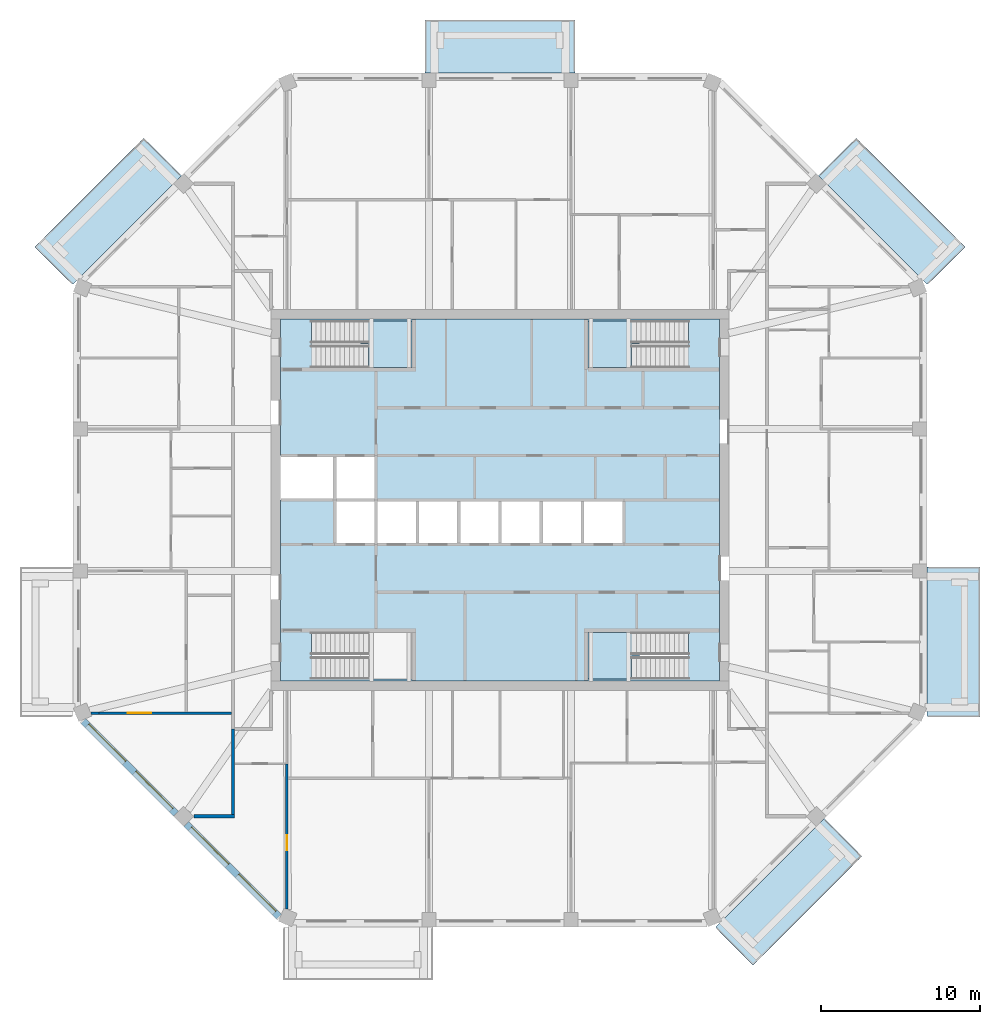
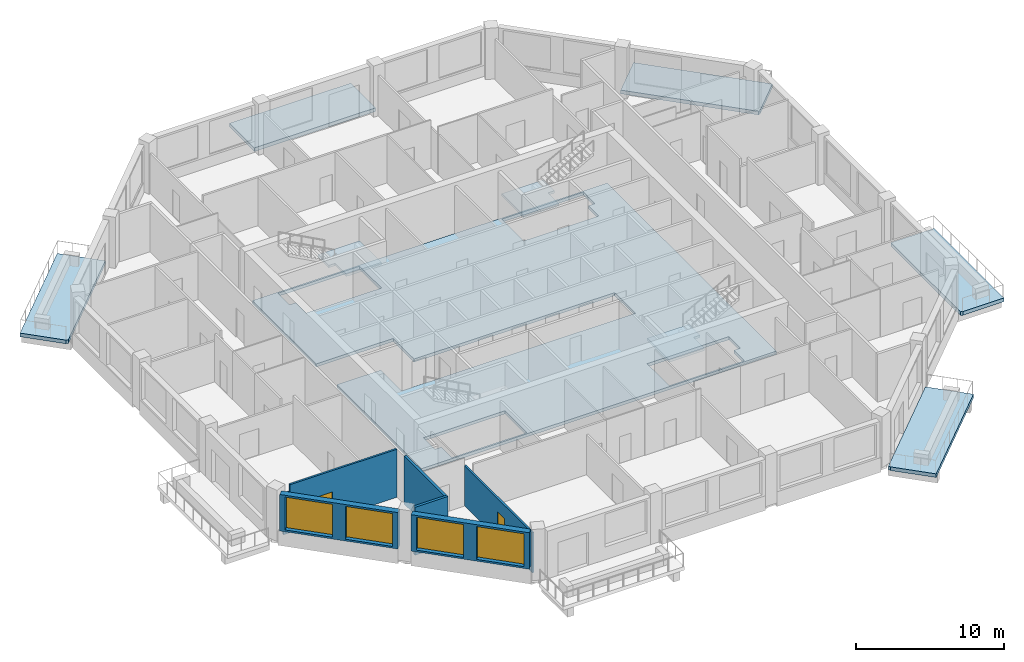
# One storey, part 2 of 11: 9 slabs, 7 walls, 4 windows, 2 doors, 6 openings, 3 elements without a shape of their own.
"""IFC4 building model written with IfcOpenShell, lengths in metres."""

from ifc_helpers import new_model, si_unit, direction, frame, frame_2d, origin, place, context, subcontext, project, spatial, polyline, rectangle, outline, extrude, material, layer, layer_set, type_object, element, fill, aggregate, save


model = new_model("IFC4")

# Units and contexts
model_context = context("Model", 3, precision=1e-05, world=origin(), true_north=direction((0.0, 1.0)))
body_context = subcontext(model_context, "Body", "Model", "MODEL_VIEW")
ifc_project = project(units=[si_unit("LENGTHUNIT", "METRE"), si_unit("AREAUNIT", "SQUARE_METRE"), si_unit("VOLUMEUNIT", "CUBIC_METRE"), si_unit("PLANEANGLEUNIT", "RADIAN"), si_unit("MASSUNIT", "GRAM", prefix="KILO")], contexts=[model_context])

# Site, building, storey
site_placement = place(None, origin())
site = spatial("IfcSite", under=ifc_project, at=site_placement, CompositionType="ELEMENT")
building_placement = place(site_placement, origin())
building = spatial("IfcBuilding", under=site, at=building_placement, Name="Msitu Wima Residences", CompositionType="ELEMENT")
storey_placement = place(building_placement, frame((0.0, 0.0, 293.699951171875)))
storey = spatial("IfcBuildingStorey", under=building, at=storey_placement, Name="L68", CompositionType="ELEMENT", Elevation=293.699951171875)

# Slabs
ifc_material_1 = material(Name="Concrete C40/50", Category="concrete")
ifc_layer_1 = layer(ifc_material_1, 0.300048828125)
ifc_layer_set_1 = layer_set([ifc_layer_1], Name="Concrete C40/50")
slab_type_1 = type_object("IfcSlabType", Name="Balcony slab BS300", PredefinedType="FLOOR", material=ifc_layer_set_1)
slab_1_placement = place(storey_placement, frame((0.0, 0.0, -0.300048828125)))
element("IfcSlab", 1, at=slab_1_placement, inside=storey, type_object=slab_type_1, Name="Balcony E0 L68", PredefinedType="FLOOR", context=body_context, shape_type="SweptSolid", body=[
    extrude(outline(polyline([(26.85009765625, -13.105224609375), (26.85009765625, -13.105224609375), (26.85009765625, -4.918701171875), (26.85009765625, -4.21875), (30.199951171875, -4.21875), (30.199951171875, -13.656005859375), (27.003662109375, -13.656005859375), (26.85009765625, -13.59228515625), (26.85009765625, -13.105224609375), (26.85009765625, -13.105224609375)])), origin(), (0.0, 0.0, 1.0), 0.300048828125),
])
slab_2_placement = place(storey_placement, frame((0.0, 0.0, -0.300048828125)))
element("IfcSlab", 2, at=slab_2_placement, inside=storey, type_object=slab_type_1, Name="Balcony NE0 L68", PredefinedType="FLOOR", context=body_context, shape_type="SweptSolid", body=[
    extrude(outline(polyline([(26.505615234375, 13.936767578125), (26.505615234375, 13.936767578125), (20.04443359375, 20.39794921875), (22.4130859375, 22.766845703125), (29.263671875, 15.916015625), (27.003662109375, 13.656005859375), (26.85009765625, 13.59228515625), (26.505615234375, 13.936767578125), (26.505615234375, 13.936767578125)])), origin(), (0.0, 0.0, 1.0), 0.300048828125),
])
slab_3_placement = place(storey_placement, frame((0.0, 0.0, -0.300048828125)))
element("IfcSlab", 3, at=slab_3_placement, inside=storey, type_object=slab_type_1, Name="Balcony N1 L68", PredefinedType="FLOOR", context=body_context, shape_type="SweptSolid", body=[
    extrude(outline(polyline([(4.0185546875, 26.85009765625), (-4.0185546875, 26.85009765625), (-4.71875, 26.85009765625), (-4.71875, 30.199951171875), (4.71875, 30.199951171875), (4.71875, 26.85009765625), (4.0185546875, 26.85009765625)])), origin(), (0.0, 0.0, 1.0), 0.300048828125),
])
slab_4_placement = place(storey_placement, frame((0.0, 0.0, -0.300048828125)))
element("IfcSlab", 4, at=slab_4_placement, inside=storey, type_object=slab_type_1, Name="Balcony NW1 L68", PredefinedType="FLOOR", context=body_context, shape_type="SweptSolid", body=[
    extrude(outline(polyline([(-26.505615234375, 13.936767578125), (-26.505615234375, 13.936767578125), (-26.85009765625, 13.59228515625), (-27.003662109375, 13.656005859375), (-29.263671875, 15.916015625), (-22.4130859375, 22.766845703125), (-20.04443359375, 20.39794921875), (-26.505615234375, 13.936767578125), (-26.505615234375, 13.936767578125)])), origin(), (0.0, 0.0, 1.0), 0.300048828125),
])
slab_5_placement = place(storey_placement, frame((0.0, 0.0, -0.300048828125)))
element("IfcSlab", 5, at=slab_5_placement, inside=storey, type_object=slab_type_1, Name="Balcony SE0 L68", PredefinedType="FLOOR", context=body_context, shape_type="SweptSolid", body=[
    extrude(outline(polyline([(13.936767578125, -26.505615234375), (13.936767578125, -26.505615234375), (20.39794921875, -20.04443359375), (22.766845703125, -22.4130859375), (15.916015625, -29.263671875), (13.656005859375, -27.003662109375), (13.59228515625, -26.85009765625), (13.936767578125, -26.505615234375), (13.936767578125, -26.505615234375)])), origin(), (0.0, 0.0, 1.0), 0.300048828125),
])
ifc_layer_2 = layer(ifc_material_1, 0.25)
ifc_layer_set_2 = layer_set([ifc_layer_2], Name="Concrete C40/50")
slab_type_2 = type_object("IfcSlabType", Name="Core floor CF250", PredefinedType="FLOOR", material=ifc_layer_set_2)
slab_6_placement = place(storey_placement, frame((0.0, 0.0, -0.25)))
element("IfcSlab", 6, at=slab_6_placement, inside=storey, type_object=slab_type_2, Name="Core floor", PredefinedType="FLOOR", context=body_context, shape_type="SweptSolid", body=[
    extrude(outline(polyline([(-13.800048828125, 11.39990234375), (-13.800048828125, 2.800048828125), (-10.39990234375, 2.800048828125), (-7.800048828125, 2.800048828125), (-7.800048828125, 0.0), (-5.199951171875, 0.0), (-2.60009765625, 0.0), (0.0, 0.0), (2.60009765625, 0.0), (5.199951171875, 0.0), (7.800048828125, 0.0), (7.800048828125, -2.800048828125), (5.199951171875, -2.800048828125), (2.60009765625, -2.800048828125), (0.0, -2.800048828125), (-2.60009765625, -2.800048828125), (-5.199951171875, -2.800048828125), (-7.800048828125, -2.800048828125), (-10.39990234375, -2.800048828125), (-10.39990234375, 0.0), (-13.800048828125, 0.0), (-13.800048828125, -11.39990234375), (13.800048828125, -11.39990234375), (13.800048828125, 11.39990234375), (-13.800048828125, 11.39990234375)]), holes=[polyline([(-11.375, -11.27490234375), (-11.375, -9.875), (-11.87451171875, -9.875), (-11.87451171875, -8.324951171875), (-5.52490234375, -8.324951171875), (-5.52490234375, -11.27490234375), (-11.375, -11.27490234375)]), polyline([(-11.375, 8.324951171875), (-11.375, 9.72509765625), (-11.87451171875, 9.72509765625), (-11.87451171875, 11.27490234375), (-5.52490234375, 11.27490234375), (-5.52490234375, 8.324951171875), (-11.375, 8.324951171875)]), polyline([(11.375, -9.875), (11.375, -11.27490234375), (5.52490234375, -11.27490234375), (5.52490234375, -8.324951171875), (11.87451171875, -8.324951171875), (11.87451171875, -9.875), (11.375, -9.875)]), polyline([(11.375, 9.72509765625), (11.375, 8.324951171875), (5.52490234375, 8.324951171875), (5.52490234375, 11.27490234375), (11.87451171875, 11.27490234375), (11.87451171875, 9.72509765625), (11.375, 9.72509765625)])]), origin(), (0.0, 0.0, 1.0), 0.25),
])

# Stair, slab
stair_type = type_object("IfcStairType", Name="Exit stair ES1615-140", PredefinedType="HALF_TURN_STAIR", material=ifc_material_1)
stair_1_placement = place(storey_placement, origin())
stair_1 = element("IfcStair", 7, at=stair_1_placement, inside=storey, type_object=stair_type, Name="Exit stair 1", PredefinedType="HALF_TURN_STAIR")
ifc_layer_3 = layer(ifc_material_1, 0.199951171875)
ifc_layer_set_3 = layer_set([ifc_layer_3], Name="Concrete C40/50")
slab_type_3 = type_object("IfcSlabType", Name="Stair landing SL200", PredefinedType="LANDING", material=ifc_layer_set_3)
slab_7_placement = place(storey_placement, frame((0.0, 0.0, 1.900146484375)))
slab_7 = element("IfcSlab", 8, at=slab_7_placement, type_object=slab_type_3, Name="S1 landing 1", PredefinedType="LANDING", context=body_context, shape_type="SweptSolid", body=[
    extrude(outline(polyline([(-5.52490234375, 8.324951171875), (-8.275390625, 8.324951171875), (-8.275390625, 9.800048828125), (-8.77490234375, 9.800048828125), (-8.77490234375, 11.27490234375), (-5.52490234375, 11.27490234375), (-5.52490234375, 8.324951171875)])), origin(), (0.0, 0.0, 1.0), 0.199951171875),
])
aggregate(stair_1, [slab_7])

stair_2_placement = place(storey_placement, origin())
stair_2 = element("IfcStair", 9, at=stair_2_placement, inside=storey, type_object=stair_type, Name="Exit stair 3", PredefinedType="HALF_TURN_STAIR")
slab_8_placement = place(storey_placement, frame((0.0, 0.0, 1.900146484375)))
slab_8 = element("IfcSlab", 10, at=slab_8_placement, type_object=slab_type_3, Name="S3 landing 1", PredefinedType="LANDING", context=body_context, shape_type="SweptSolid", body=[
    extrude(outline(polyline([(5.52490234375, 8.324951171875), (8.275390625, 8.324951171875), (8.275390625, 9.800048828125), (8.77490234375, 9.800048828125), (8.77490234375, 11.27490234375), (5.52490234375, 11.27490234375), (5.52490234375, 8.324951171875)])), origin(), (0.0, 0.0, 1.0), 0.199951171875),
])
aggregate(stair_2, [slab_8])

stair_3_placement = place(storey_placement, origin())
stair_3 = element("IfcStair", 11, at=stair_3_placement, inside=storey, type_object=stair_type, Name="Exit stair 4", PredefinedType="HALF_TURN_STAIR")
slab_9_placement = place(storey_placement, frame((0.0, 0.0, 1.900146484375)))
slab_9 = element("IfcSlab", 12, at=slab_9_placement, type_object=slab_type_3, Name="S4 landing 1", PredefinedType="LANDING", context=body_context, shape_type="SweptSolid", body=[
    extrude(outline(polyline([(5.52490234375, -11.27490234375), (8.275390625, -11.27490234375), (8.275390625, -9.800048828125), (8.77490234375, -9.800048828125), (8.77490234375, -8.324951171875), (5.52490234375, -8.324951171875), (5.52490234375, -11.27490234375)])), origin(), (0.0, 0.0, 1.0), 0.199951171875),
])
aggregate(stair_3, [slab_9])

# Wall, openings, windows
ifc_material_2 = material(Name="Brick (red buff mix)", Category="masonry")
ifc_layer_4 = layer(ifc_material_2, 0.449951171875)
ifc_layer_set_4 = layer_set([ifc_layer_4], Name="Brick (red buff mix)")
wall_type_1 = type_object("IfcWallType", Name="Brick infill wall BW450", PredefinedType="SOLIDWALL", material=ifc_layer_set_4)
wall_1_placement = place(storey_placement, frame((-26.214599609375, -13.909423828125, 0.900146484375), z_axis=(0.0, 0.0, 1.0), x_axis=(0.707106781187, -0.707106781187, 0.0)))
wall_1 = element("IfcWall", 13, at=wall_1_placement, inside=storey, type_object=wall_type_1, Name="Brick infill wall L68 SW0", PredefinedType="SOLIDWALL", context=body_context, shape_type="SweptSolid", body=[
    extrude(rectangle(XDim=8.251220703125, YDim=0.449951171875, at=frame_2d((4.12548828125, 0.0))), origin(), (0.0, 0.0, 1.0), 3.0),
])
opening_1_placement = place(wall_1_placement, frame((0.37548828125, 0.0, 0.14990234375)))
opening_1 = element("IfcOpeningElement", 14, at=opening_1_placement, cuts=wall_1, Name="Opening W68-70.025", PredefinedType="OPENING", context=body_context, shape_type="SweptSolid", body=[
    extrude(rectangle(XDim=3.300048828125, YDim=2.699951171875, at=frame_2d((1.64990234375, 1.35009765625))), frame((0.0, 0.23486328125, 0.0), z_axis=(0.0, -1.0, 0.0), x_axis=(1.0, 0.0, 0.0)), (0.0, 0.0, 1.0), 0.469970703125),
])
opening_2_placement = place(wall_1_placement, frame((4.57568359375, 0.0, 0.14990234375)))
opening_2 = element("IfcOpeningElement", 15, at=opening_2_placement, cuts=wall_1, Name="Opening W68-70.026", PredefinedType="OPENING", context=body_context, shape_type="SweptSolid", body=[
    extrude(rectangle(XDim=3.300048828125, YDim=2.699951171875, at=frame_2d((1.64990234375, 1.35009765625))), frame((0.0, 0.23486328125, 0.0), z_axis=(0.0, -1.0, 0.0), x_axis=(1.0, 0.0, 0.0)), (0.0, 0.0, 1.0), 0.469970703125),
])
ifc_material_3 = material(Name="Anodised aluminium, bronze finish, clear low-emissivity double glazing", Category="aluminium")
window_type = type_object("IfcWindowType", Name="Window W3300x2700", PartitioningType="DOUBLE_PANEL_VERTICAL", PredefinedType="WINDOW", material=ifc_material_3)
window_1_placement = place(opening_1_placement, origin())
window_1 = element("IfcWindow", 16, at=window_1_placement, inside=storey, type_object=window_type, Name="Window L68 SW0.1", OverallHeight=2.699951171875, OverallWidth=3.300048828125, PartitioningType="SINGLE_PANEL", PredefinedType="WINDOW", context=body_context, shape_type="SweptSolid", body=[
    extrude(rectangle(XDim=3.300048828125, YDim=2.699951171875, at=frame_2d((1.64990234375, 1.35009765625))), frame((0.0, 0.135009765625, 0.0), z_axis=(0.0, -1.0, 0.0), x_axis=(1.0, 0.0, 0.0)), (0.0, 0.0, 1.0), 0.06005859375),
])
fill(opening_1, window_1)
window_2_placement = place(opening_2_placement, origin())
window_2 = element("IfcWindow", 17, at=window_2_placement, inside=storey, type_object=window_type, Name="Window L68 SW0.2", OverallHeight=2.699951171875, OverallWidth=3.300048828125, PartitioningType="SINGLE_PANEL", PredefinedType="WINDOW", context=body_context, shape_type="SweptSolid", body=[
    extrude(rectangle(XDim=3.300048828125, YDim=2.699951171875, at=frame_2d((1.64990234375, 1.35009765625))), frame((0.0, 0.135009765625, 0.0), z_axis=(0.0, -1.0, 0.0), x_axis=(1.0, 0.0, 0.0)), (0.0, 0.0, 1.0), 0.06005859375),
])
fill(opening_2, window_2)

wall_2_placement = place(storey_placement, frame((-19.743896484375, -20.380126953125, 0.900146484375), z_axis=(0.0, 0.0, 1.0), x_axis=(0.707106781187, -0.707106781187, 0.0)))
wall_2 = element("IfcWall", 18, at=wall_2_placement, inside=storey, type_object=wall_type_1, Name="Brick infill wall L68 SW1", PredefinedType="SOLIDWALL", context=body_context, shape_type="SweptSolid", body=[
    extrude(rectangle(XDim=8.251220703125, YDim=0.449951171875, at=frame_2d((4.12548828125, 0.0))), origin(), (0.0, 0.0, 1.0), 3.0),
])
opening_3_placement = place(wall_2_placement, frame((0.37548828125, 0.0, 0.14990234375)))
opening_3 = element("IfcOpeningElement", 19, at=opening_3_placement, cuts=wall_2, Name="Opening W68-70.027", PredefinedType="OPENING", context=body_context, shape_type="SweptSolid", body=[
    extrude(rectangle(XDim=3.300048828125, YDim=2.699951171875, at=frame_2d((1.64990234375, 1.35009765625))), frame((0.0, 0.23486328125, 0.0), z_axis=(0.0, -1.0, 0.0), x_axis=(1.0, 0.0, 0.0)), (0.0, 0.0, 1.0), 0.469970703125),
])
opening_4_placement = place(wall_2_placement, frame((4.57568359375, 0.0, 0.14990234375)))
opening_4 = element("IfcOpeningElement", 20, at=opening_4_placement, cuts=wall_2, Name="Opening W68-70.028", PredefinedType="OPENING", context=body_context, shape_type="SweptSolid", body=[
    extrude(rectangle(XDim=3.300048828125, YDim=2.699951171875, at=frame_2d((1.64990234375, 1.35009765625))), frame((0.0, 0.23486328125, 0.0), z_axis=(0.0, -1.0, 0.0), x_axis=(1.0, 0.0, 0.0)), (0.0, 0.0, 1.0), 0.469970703125),
])
window_3_placement = place(opening_3_placement, origin())
window_3 = element("IfcWindow", 21, at=window_3_placement, inside=storey, type_object=window_type, Name="Window L68 SW1.1", OverallHeight=2.699951171875, OverallWidth=3.300048828125, PartitioningType="SINGLE_PANEL", PredefinedType="WINDOW", context=body_context, shape_type="SweptSolid", body=[
    extrude(rectangle(XDim=3.300048828125, YDim=2.699951171875, at=frame_2d((1.64990234375, 1.35009765625))), frame((0.0, 0.135009765625, 0.0), z_axis=(0.0, -1.0, 0.0), x_axis=(1.0, 0.0, 0.0)), (0.0, 0.0, 1.0), 0.06005859375),
])
fill(opening_3, window_3)
window_4_placement = place(opening_4_placement, origin())
window_4 = element("IfcWindow", 22, at=window_4_placement, inside=storey, type_object=window_type, Name="Window L68 SW1.2", OverallHeight=2.699951171875, OverallWidth=3.300048828125, PartitioningType="SINGLE_PANEL", PredefinedType="WINDOW", context=body_context, shape_type="SweptSolid", body=[
    extrude(rectangle(XDim=3.300048828125, YDim=2.699951171875, at=frame_2d((1.64990234375, 1.35009765625))), frame((0.0, 0.135009765625, 0.0), z_axis=(0.0, -1.0, 0.0), x_axis=(1.0, 0.0, 0.0)), (0.0, 0.0, 1.0), 0.06005859375),
])
fill(opening_4, window_4)

# Wall
ifc_material_4 = material(Name="Plaster")
ifc_layer_5 = layer(ifc_material_4, 0.011962890625, Name="Plaster")
ifc_material_5 = material(Name="Concrete blockwork", Category="masonry")
ifc_layer_6 = layer(ifc_material_5, 0.1259765625, Name="Concrete blockwork")
ifc_layer_7 = layer(ifc_material_4, 0.011962890625, Name="Plaster")
ifc_layer_set_5 = layer_set([ifc_layer_5, ifc_layer_6, ifc_layer_7], Name="Concrete blockwork")
wall_type_2 = type_object("IfcWallType", Name="Partition PW150", PredefinedType="PARTITIONING", material=ifc_layer_set_5)
wall_3_placement = place(storey_placement, frame((-25.731201171875, -13.406005859375, 0.0), z_axis=(0.0, 0.0, 1.0), x_axis=(1.0, 0.0, 0.0)))
element("IfcWall", 23, at=wall_3_placement, inside=storey, type_object=wall_type_2, Name="Partition", PredefinedType="PARTITIONING", context=body_context, shape_type="SweptSolid", body=[
    extrude(rectangle(XDim=0.507080078125, YDim=0.14990234375, at=frame_2d((0.25341796875, 0.0))), origin(), (0.0, 0.0, 1.0), 3.35009765625),
])

# Wall, opening, door
wall_4_placement = place(storey_placement, frame((-25.22412109375, -13.406005859375, 0.0), z_axis=(0.0, 0.0, 1.0), x_axis=(1.0, 0.0, 0.0)))
wall_4 = element("IfcWall", 24, at=wall_4_placement, inside=storey, type_object=wall_type_2, Name="Partition", PredefinedType="PARTITIONING", context=body_context, shape_type="SweptSolid", body=[
    extrude(rectangle(XDim=8.32421875, YDim=0.14990234375, at=frame_2d((4.162109375, 0.0))), origin(), (0.0, 0.0, 1.0), 3.949951171875),
])
opening_5_placement = place(wall_4_placement, frame((1.79296875, 0.0, 0.0)))
opening_5 = element("IfcOpeningElement", 25, at=opening_5_placement, cuts=wall_4, Name="Opening D68-70.041", PredefinedType="OPENING", context=body_context, shape_type="SweptSolid", body=[
    extrude(rectangle(XDim=1.5, YDim=2.199951171875, at=frame_2d((0.75, 1.10009765625))), frame((0.0, 0.0849609375, 0.0), z_axis=(0.0, -1.0, 0.0), x_axis=(1.0, 0.0, 0.0)), (0.0, 0.0, 1.0), 0.169921875),
])
ifc_material_6 = material(Name="Timber double door", Category="wood")
door_type_1 = type_object("IfcDoorType", Name="Double door D04 1500x2200", OperationType="DOUBLE_DOOR_SINGLE_SWING", PredefinedType="DOOR", material=ifc_material_6)
door_1_placement = place(opening_5_placement, origin())
door_1 = element("IfcDoor", 26, at=door_1_placement, inside=storey, type_object=door_type_1, Name="Double door", OperationType="DOUBLE_DOOR_SINGLE_SWING", OverallHeight=2.199951171875, OverallWidth=1.5, PredefinedType="DOOR", context=body_context, shape_type="SweptSolid", body=[
    extrude(rectangle(XDim=1.5, YDim=2.199951171875, at=frame_2d((0.75, 1.10009765625))), frame((0.0, 0.02490234375, 0.0), z_axis=(0.0, -1.0, 0.0), x_axis=(1.0, 0.0, 0.0)), (0.0, 0.0, 1.0), 0.050048828125),
])
fill(opening_5, door_1)

wall_5_placement = place(storey_placement, frame((-13.406005859375, -25.731201171875, 0.0), z_axis=(0.0, 0.0, 1.0), x_axis=(0.0, 1.0, 0.0)))
wall_5 = element("IfcWall", 27, at=wall_5_placement, inside=storey, type_object=wall_type_2, Name="Partition", PredefinedType="PARTITIONING", context=body_context, shape_type="SweptSolid", body=[
    extrude(rectangle(XDim=9.131103515625, YDim=0.14990234375, at=frame_2d((4.5654296875, 0.0))), origin(), (0.0, 0.0, 1.0), 3.300048828125),
])
opening_6_placement = place(wall_5_placement, frame((3.699951171875, 0.0, 0.0)))
opening_6 = element("IfcOpeningElement", 28, at=opening_6_placement, cuts=wall_5, Name="Opening D68-70.046", PredefinedType="OPENING", context=body_context, shape_type="SweptSolid", body=[
    extrude(rectangle(XDim=0.949951171875, YDim=2.199951171875, at=frame_2d((0.47509765625, 1.10009765625))), frame((0.0, 0.0849609375, 0.0), z_axis=(0.0, -1.0, 0.0), x_axis=(1.0, 0.0, 0.0)), (0.0, 0.0, 1.0), 0.169921875),
])
ifc_material_7 = material(Name="Timber flush door", Category="wood")
door_type_2 = type_object("IfcDoorType", Name="Room door D12 950x2200", OperationType="SINGLE_SWING_LEFT", PredefinedType="DOOR", material=ifc_material_7)
door_2_placement = place(opening_6_placement, origin())
door_2 = element("IfcDoor", 29, at=door_2_placement, inside=storey, type_object=door_type_2, Name="Room door", OperationType="SINGLE_SWING_RIGHT", OverallHeight=2.199951171875, OverallWidth=0.949951171875, PredefinedType="DOOR", context=body_context, shape_type="SweptSolid", body=[
    extrude(rectangle(XDim=0.949951171875, YDim=2.199951171875, at=frame_2d((0.47509765625, 1.10009765625))), frame((0.0, 0.02490234375, 0.0), z_axis=(0.0, -1.0, 0.0), x_axis=(1.0, 0.0, 0.0)), (0.0, 0.0, 1.0), 0.050048828125),
])
fill(opening_6, door_2)

# Walls
ifc_layer_8 = layer(ifc_material_4, 0.011962890625, Name="Plaster")
ifc_material_8 = material(Name="Dense concrete blockwork", Category="masonry")
ifc_layer_9 = layer(ifc_material_8, 0.176025390625, Name="Dense concrete blockwork")
ifc_layer_10 = layer(ifc_material_4, 0.011962890625, Name="Plaster")
ifc_layer_set_6 = layer_set([ifc_layer_8, ifc_layer_9, ifc_layer_10], Name="Dense concrete blockwork")
wall_type_3 = type_object("IfcWallType", Name="Party wall PW200", PredefinedType="PARTITIONING", material=ifc_layer_set_6)
wall_6_placement = place(storey_placement, frame((-19.2666015625, -19.90283203125, 0.0), z_axis=(0.0, 0.0, 1.0), x_axis=(1.0, 0.0, 0.0)))
element("IfcWall", 30, at=wall_6_placement, inside=storey, type_object=wall_type_3, Name="Party wall", PredefinedType="PARTITIONING", context=body_context, shape_type="SweptSolid", body=[
    extrude(rectangle(XDim=2.566650390625, YDim=0.199951171875, at=frame_2d((1.283203125, 0.0))), origin(), (0.0, 0.0, 1.0), 3.949951171875),
])
wall_7_placement = place(storey_placement, frame((-16.800048828125, -19.802978515625, 0.0), z_axis=(0.0, 0.0, 1.0), x_axis=(0.0, 1.0, 0.0)))
element("IfcWall", 31, at=wall_7_placement, inside=storey, type_object=wall_type_3, Name="Party wall", PredefinedType="PARTITIONING", context=body_context, shape_type="SweptSolid", body=[
    extrude(rectangle(XDim=5.403076171875, YDim=0.199951171875, at=frame_2d((2.70166015625, 0.0))), origin(), (0.0, 0.0, 1.0), 3.949951171875),
])

save(model, "model.ifc")
